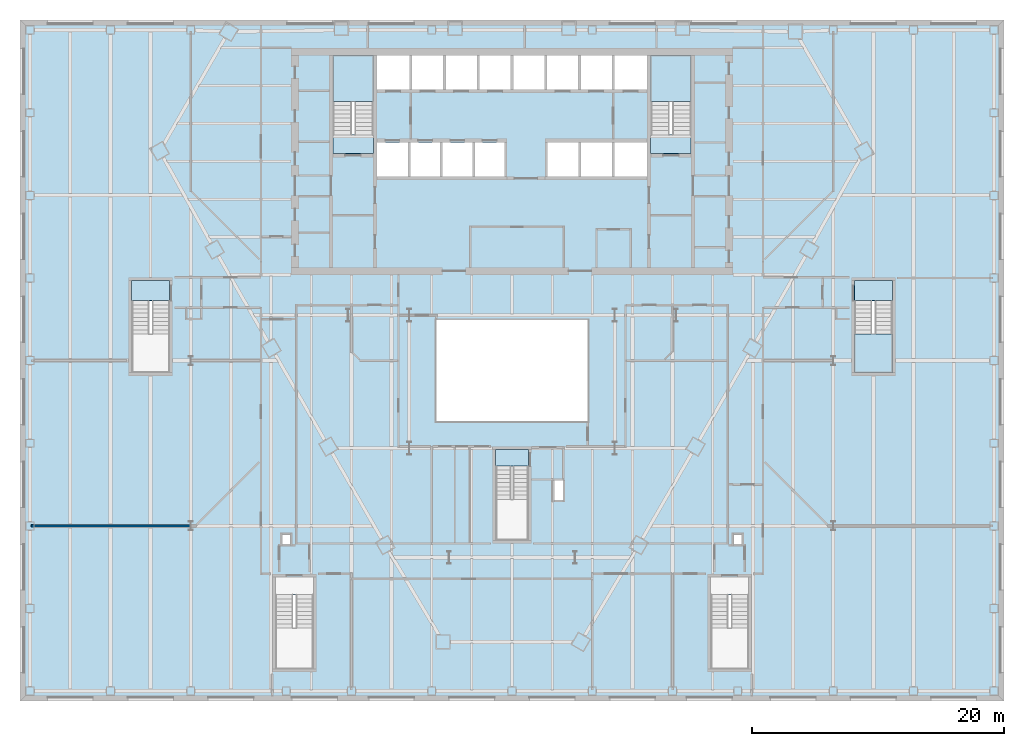
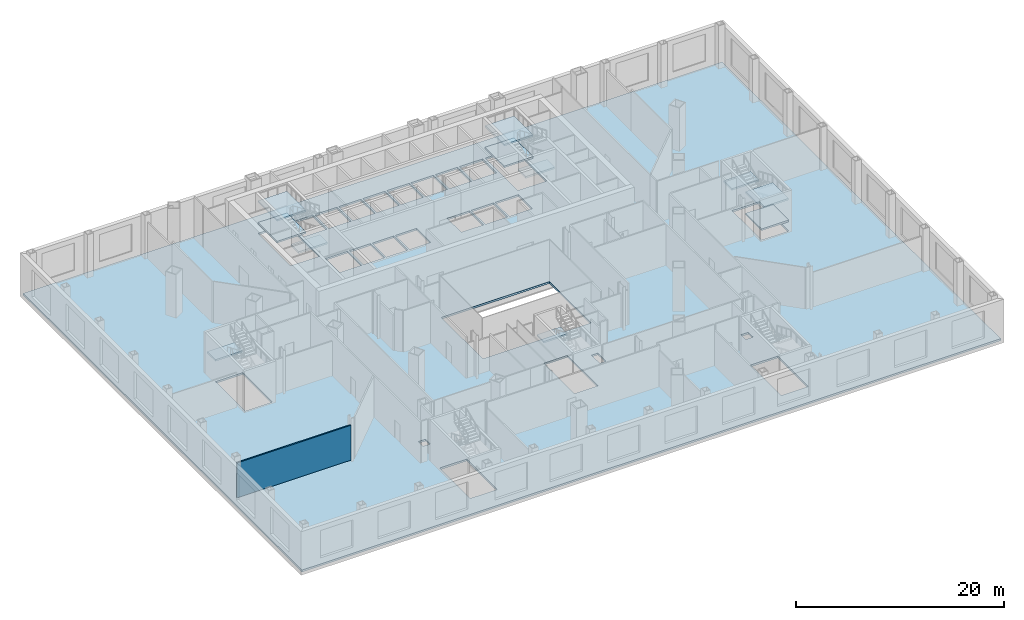
# One storey, part 7 of 20: 12 slabs, 1 wall, 5 elements without a shape of their own.
"""IFC4 building model written with IfcOpenShell, lengths in metres."""

from ifc_helpers import new_model, si_unit, direction, frame, frame_2d, origin, place, context, subcontext, project, spatial, polyline, rectangle, outline, extrude, material, layer, layer_set, type_object, element, aggregate, save


model = new_model("IFC4")

# Units and contexts
model_context = context("Model", 3, precision=1e-05, world=origin(), true_north=direction((0.0, 1.0)))
body_context = subcontext(model_context, "Body", "Model", "MODEL_VIEW")
ifc_project = project(units=[si_unit("LENGTHUNIT", "METRE"), si_unit("AREAUNIT", "SQUARE_METRE"), si_unit("VOLUMEUNIT", "CUBIC_METRE"), si_unit("PLANEANGLEUNIT", "RADIAN"), si_unit("MASSUNIT", "GRAM", prefix="KILO")], contexts=[model_context])

# Site, building, storey
site_placement = place(None, origin())
site = spatial("IfcSite", under=ifc_project, at=site_placement, CompositionType="ELEMENT")
building_placement = place(site_placement, origin())
building = spatial("IfcBuilding", under=site, at=building_placement, Name="Njiva Tower", CompositionType="ELEMENT")
storey_placement = place(building_placement, frame((0.0, 0.0, 18.6)))
storey = spatial("IfcBuildingStorey", under=building, at=storey_placement, Name="L03", CompositionType="ELEMENT", Elevation=18.6)

# Stair, slabs
ifc_material_1 = material(Name="Concrete C40/50", Category="concrete")
stair_type_1 = type_object("IfcStairType", Name="ST4 Exit stair 1500", PredefinedType="HALF_TURN_STAIR", material=ifc_material_1)
stair_1_placement = place(storey_placement, origin())
stair_1 = element("IfcStair", 1, at=stair_1_placement, inside=storey, type_object=stair_type_1, Name="Stair A", PredefinedType="DOUBLE_RETURN_STAIR")
ifc_layer_1 = layer(ifc_material_1, 0.2)
ifc_layer_set_1 = layer_set([ifc_layer_1], Name="Concrete C40/50")
slab_type_1 = type_object("IfcSlabType", Name="FL9 Stair landing 200", PredefinedType="LANDING", material=ifc_layer_set_1)
slab_1_placement = place(storey_placement, frame((0.0, 0.0, 1.075)))
slab_1 = element("IfcSlab", 2, at=slab_1_placement, type_object=slab_type_1, Name="ST-A landing 1", PredefinedType="LANDING", context=body_context, shape_type="SweptSolid", body=[
    extrude(outline(polyline([(-14.206, 13.74), (-10.994, 13.74), (-10.994, 17.4), (-14.206, 17.4), (-14.206, 13.74)])), origin(), (0.0, 0.0, 1.0), 0.2),
])
slab_2_placement = place(storey_placement, frame((0.0, 0.0, 2.35)))
slab_2 = element("IfcSlab", 3, at=slab_2_placement, type_object=slab_type_1, Name="ST-A landing 2", PredefinedType="LANDING", context=body_context, shape_type="SweptSolid", body=[
    extrude(outline(polyline([(-14.206, 9.6), (-10.994, 9.6), (-10.994, 11.1), (-14.206, 11.1), (-14.206, 9.6)])), origin(), (0.0, 0.0, 1.0), 0.2),
])
slab_3_placement = place(storey_placement, frame((0.0, 0.0, 3.625)))
slab_3 = element("IfcSlab", 4, at=slab_3_placement, type_object=slab_type_1, Name="ST-A landing 3", PredefinedType="LANDING", context=body_context, shape_type="SweptSolid", body=[
    extrude(outline(polyline([(-14.206, 13.74), (-10.994, 13.74), (-10.994, 17.4), (-14.206, 17.4), (-14.206, 13.74)])), origin(), (0.0, 0.0, 1.0), 0.2),
])
aggregate(stair_1, [slab_1, slab_2, slab_3])

stair_2_placement = place(storey_placement, origin())
stair_2 = element("IfcStair", 5, at=stair_2_placement, inside=storey, type_object=stair_type_1, Name="Stair B", PredefinedType="DOUBLE_RETURN_STAIR")
slab_4_placement = place(storey_placement, frame((0.0, 0.0, 1.075)))
slab_4 = element("IfcSlab", 6, at=slab_4_placement, type_object=slab_type_1, Name="ST-B landing 1", PredefinedType="LANDING", context=body_context, shape_type="SweptSolid", body=[
    extrude(outline(polyline([(10.994, 13.74), (14.206, 13.74), (14.206, 17.4), (10.994, 17.4), (10.994, 13.74)])), origin(), (0.0, 0.0, 1.0), 0.2),
])
slab_5_placement = place(storey_placement, frame((0.0, 0.0, 2.35)))
slab_5 = element("IfcSlab", 7, at=slab_5_placement, type_object=slab_type_1, Name="ST-B landing 2", PredefinedType="LANDING", context=body_context, shape_type="SweptSolid", body=[
    extrude(outline(polyline([(10.994, 9.6), (14.206, 9.6), (14.206, 11.1), (10.994, 11.1), (10.994, 9.6)])), origin(), (0.0, 0.0, 1.0), 0.2),
])
slab_6_placement = place(storey_placement, frame((0.0, 0.0, 3.625)))
slab_6 = element("IfcSlab", 8, at=slab_6_placement, type_object=slab_type_1, Name="ST-B landing 3", PredefinedType="LANDING", context=body_context, shape_type="SweptSolid", body=[
    extrude(outline(polyline([(10.994, 13.74), (14.206, 13.74), (14.206, 17.4), (10.994, 17.4), (10.994, 13.74)])), origin(), (0.0, 0.0, 1.0), 0.2),
])
aggregate(stair_2, [slab_4, slab_5, slab_6])

# Stair, slab
stair_type_2 = type_object("IfcStairType", Name="ST1 Exit stair 1250", PredefinedType="HALF_TURN_STAIR", material=ifc_material_1)
stair_3_placement = place(storey_placement, origin())
stair_3 = element("IfcStair", 9, at=stair_3_placement, inside=storey, type_object=stair_type_2, Name="Stair C", PredefinedType="DOUBLE_RETURN_STAIR")
slab_7_placement = place(storey_placement, frame((0.0, 0.0, 2.35)))
slab_7 = element("IfcSlab", 10, at=slab_7_placement, type_object=slab_type_1, Name="ST-C landing 2", PredefinedType="LANDING", context=body_context, shape_type="SweptSolid", body=[
    extrude(outline(polyline([(-1.306, -15.16), (1.306, -15.16), (1.306, -13.85), (-1.306, -13.85), (-1.306, -15.16)])), origin(), (0.0, 0.0, 1.0), 0.2),
])
aggregate(stair_3, [slab_7])

stair_type_3 = type_object("IfcStairType", Name="ST2 Exit stair 1400", PredefinedType="HALF_TURN_STAIR", material=ifc_material_1)
stair_4_placement = place(storey_placement, origin())
stair_4 = element("IfcStair", 11, at=stair_4_placement, inside=storey, type_object=stair_type_3, Name="Stair F", PredefinedType="DOUBLE_RETURN_STAIR")
slab_8_placement = place(storey_placement, frame((0.0, 0.0, 2.35)))
slab_8 = element("IfcSlab", 12, at=slab_8_placement, type_object=slab_type_1, Name="ST-F landing 2", PredefinedType="LANDING", context=body_context, shape_type="SweptSolid", body=[
    extrude(outline(polyline([(-30.156, -2.05), (-27.144, -2.05), (-27.144, -0.45), (-30.156, -0.45), (-30.156, -2.05)])), origin(), (0.0, 0.0, 1.0), 0.2),
])
aggregate(stair_4, [slab_8])

# Stair, slabs
stair_5_placement = place(storey_placement, origin())
stair_5 = element("IfcStair", 13, at=stair_5_placement, inside=storey, type_object=stair_type_3, Name="Stair G", PredefinedType="DOUBLE_RETURN_STAIR")
slab_9_placement = place(storey_placement, frame((0.0, 0.0, 1.075)))
slab_9 = element("IfcSlab", 14, at=slab_9_placement, type_object=slab_type_1, Name="ST-G landing 1", PredefinedType="LANDING", context=body_context, shape_type="SweptSolid", body=[
    extrude(outline(polyline([(27.144, -7.75), (30.156, -7.75), (30.156, -4.69), (27.144, -4.69), (27.144, -7.75)])), origin(), (0.0, 0.0, 1.0), 0.2),
])
slab_10_placement = place(storey_placement, frame((0.0, 0.0, 2.35)))
slab_10 = element("IfcSlab", 15, at=slab_10_placement, type_object=slab_type_1, Name="ST-G landing 2", PredefinedType="LANDING", context=body_context, shape_type="SweptSolid", body=[
    extrude(outline(polyline([(27.144, -2.05), (30.156, -2.05), (30.156, -0.45), (27.144, -0.45), (27.144, -2.05)])), origin(), (0.0, 0.0, 1.0), 0.2),
])
slab_11_placement = place(storey_placement, frame((0.0, 0.0, 3.625)))
slab_11 = element("IfcSlab", 16, at=slab_11_placement, type_object=slab_type_1, Name="ST-G landing 3", PredefinedType="LANDING", context=body_context, shape_type="SweptSolid", body=[
    extrude(outline(polyline([(27.144, -7.75), (30.156, -7.75), (30.156, -4.69), (27.144, -4.69), (27.144, -7.75)])), origin(), (0.0, 0.0, 1.0), 0.2),
])
aggregate(stair_5, [slab_9, slab_10, slab_11])

# Slab
ifc_material_2 = material(Name="Concrete C30/37", Category="concrete")
ifc_layer_2 = layer(ifc_material_2, 0.22)
ifc_layer_set_2 = layer_set([ifc_layer_2], Name="Concrete C30/37")
slab_type_2 = type_object("IfcSlabType", Name="SL12 Composite floor slab 220", PredefinedType="FLOOR", material=ifc_layer_set_2)
slab_12_placement = place(storey_placement, frame((0.0, 0.0, -0.22)))
element("IfcSlab", 17, at=slab_12_placement, inside=storey, type_object=slab_type_2, Name="Floor slab L03", PredefinedType="FLOOR", context=body_context, shape_type="SweptSolid", body=[
    extrude(outline(polyline([(-38.775, -33.575), (-38.775, 19.975), (38.775, 19.975), (38.775, -33.575), (-38.775, -33.575)]), holes=[polyline([(27.144, -2.08), (27.144, -7.75), (30.156, -7.75), (30.156, -2.08), (27.144, -2.08)]), polyline([(15.744, -31.25), (18.756, -31.25), (18.756, -25.38), (15.744, -25.38), (15.744, -31.25)]), polyline([(17.5, -20.525), (17.5, -21.425), (18.3, -21.425), (18.3, -20.525), (17.5, -20.525)]), polyline([(10.994, 17.4), (10.994, 11.13), (14.206, 11.13), (14.206, 17.4), (10.994, 17.4)]), polyline([(8.125, 17.4), (8.125, 14.7), (10.7, 14.7), (10.7, 17.4), (8.125, 17.4)]), polyline([(8.1333, 10.5), (8.1333, 7.8), (10.7, 7.8), (10.7, 10.5), (8.1333, 10.5)]), polyline([(5.4667, 7.8), (7.9333, 7.8), (7.9333, 10.5), (5.4667, 10.5), (5.4667, 7.8)]), polyline([(5.45, 17.4), (5.45, 14.7), (7.925, 14.7), (7.925, 17.4), (5.45, 17.4)]), polyline([(-6.0, -11.6), (6.0, -11.6), (6.0, -3.6), (-6.0, -3.6), (-6.0, -11.6)]), polyline([(2.8, 10.5), (2.8, 7.8), (5.2667, 7.8), (5.2667, 10.5), (2.8, 10.5)]), polyline([(2.775, 17.4), (2.775, 14.7), (5.25, 14.7), (5.25, 17.4), (2.775, 17.4)]), polyline([(3.35, -17.85), (4.05, -17.85), (4.05, -16.3), (3.35, -16.3), (3.35, -17.85)]), polyline([(0.1, 17.4), (0.1, 14.7), (2.575, 14.7), (2.575, 17.4), (0.1, 17.4)]), polyline([(-1.306, -15.19), (-1.306, -21.05), (1.306, -21.05), (1.306, -15.19), (-1.306, -15.19)]), polyline([(-2.575, 17.4), (-2.575, 14.7), (-0.1, 14.7), (-0.1, 17.4), (-2.575, 17.4)]), polyline([(-2.95, 10.5), (-2.95, 7.8), (-0.6, 7.8), (-0.6, 10.5), (-2.95, 10.5)]), polyline([(-5.25, 17.4), (-5.25, 14.7), (-2.775, 14.7), (-2.775, 17.4), (-5.25, 17.4)]), polyline([(-5.5, 7.8), (-3.15, 7.8), (-3.15, 10.5), (-5.5, 10.5), (-5.5, 7.8)]), polyline([(-7.925, 17.4), (-7.925, 14.7), (-5.45, 14.7), (-5.45, 17.4), (-7.925, 17.4)]), polyline([(-8.05, 10.5), (-8.05, 7.8), (-5.7, 7.8), (-5.7, 10.5), (-8.05, 10.5)]), polyline([(-10.7, 17.4), (-10.7, 14.7), (-8.125, 14.7), (-8.125, 17.4), (-10.7, 17.4)]), polyline([(-10.7, 10.5), (-10.7, 7.8), (-8.25, 7.8), (-8.25, 10.5), (-10.7, 10.5)]), polyline([(-14.206, 17.4), (-14.206, 11.13), (-10.994, 11.13), (-10.994, 17.4), (-14.206, 17.4)]), polyline([(-18.756, -31.25), (-15.744, -31.25), (-15.744, -25.38), (-18.756, -25.38), (-18.756, -31.25)]), polyline([(-18.3, -20.525), (-18.3, -21.425), (-17.5, -21.425), (-17.5, -20.525), (-18.3, -20.525)]), polyline([(-30.156, -7.75), (-27.144, -7.75), (-27.144, -2.08), (-30.156, -2.08), (-30.156, -7.75)])]), origin(), (0.0, 0.0, 1.0), 0.22),
])

# Wall
ifc_material_3 = material(Name="Gypsum board on steel studs", Category="gypsum")
ifc_layer_3 = layer(ifc_material_3, 0.15)
ifc_layer_set_3 = layer_set([ifc_layer_3], Name="Gypsum board on steel studs")
wall_type = type_object("IfcWallType", Name="WT21 Compartment wall 150", PredefinedType="PARTITIONING", material=ifc_layer_set_3)
wall_placement = place(storey_placement, frame((-38.1, -19.9, 0.0), z_axis=(0.0, 0.0, 1.0), x_axis=(1.0, 0.0, 0.0)))
element("IfcWall", 18, at=wall_placement, inside=storey, type_object=wall_type, Name="Partition L03-P001", PredefinedType="PARTITIONING", context=body_context, shape_type="SweptSolid", body=[
    extrude(rectangle(XDim=12.633, YDim=0.15, at=frame_2d((6.3165, 0.0))), origin(), (0.0, 0.0, 1.0), 4.09),
])

save(model, "model.ifc")
